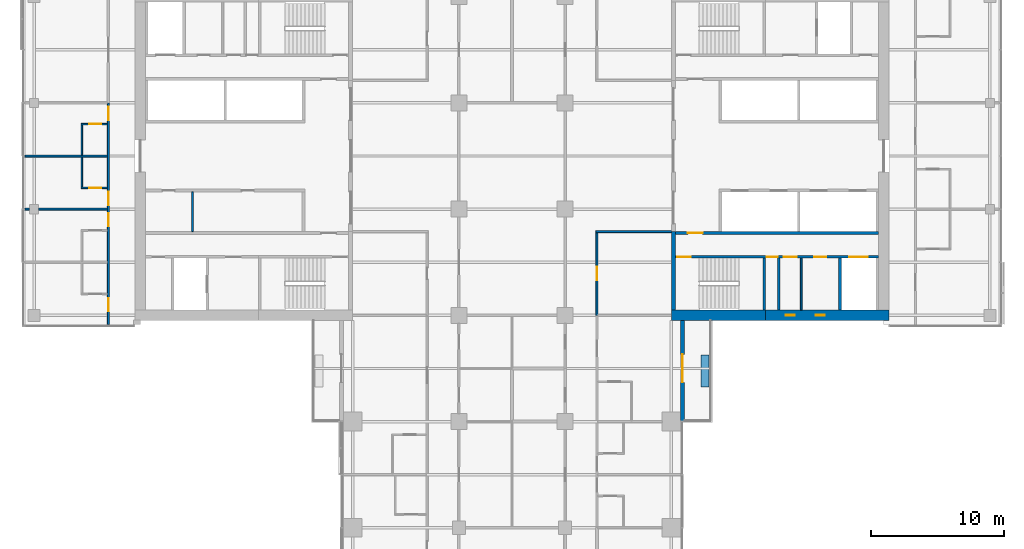
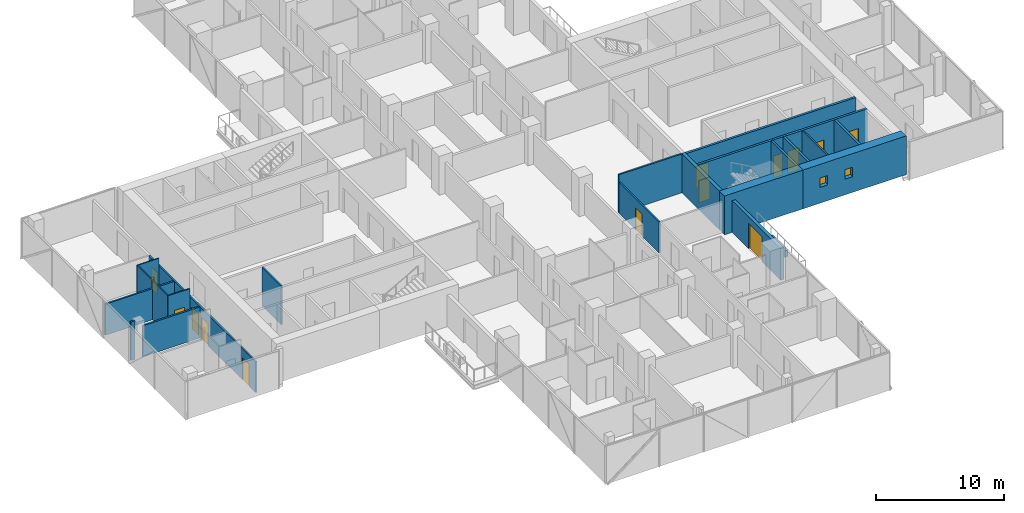
# One storey, part 17 of 27: 23 walls, 14 doors, 2 windows, 16 openings.
"""IFC4 building model written with IfcOpenShell, lengths in metres."""

from ifc_helpers import new_model, si_unit, direction, frame, frame_2d, origin, place, context, subcontext, project, spatial, rectangle, extrude, material, layer, layer_set, constituent, constituent_set, type_object, element, fill, save


model = new_model("IFC4")

# Units and contexts
model_context = context("Model", 3, precision=1e-05, world=origin(), true_north=direction((0.0, 1.0)))
body_context = subcontext(model_context, "Body", "Model", "MODEL_VIEW")
ifc_project = project(units=[si_unit("LENGTHUNIT", "METRE"), si_unit("AREAUNIT", "SQUARE_METRE"), si_unit("VOLUMEUNIT", "CUBIC_METRE"), si_unit("PLANEANGLEUNIT", "RADIAN"), si_unit("MASSUNIT", "GRAM", prefix="KILO")], contexts=[model_context])

# Site, building, storey
site_placement = place(None, origin())
site = spatial("IfcSite", under=ifc_project, at=site_placement, CompositionType="ELEMENT")
building_placement = place(site_placement, origin())
building = spatial("IfcBuilding", under=site, at=building_placement, Name="Crosswind Convention Tower", CompositionType="ELEMENT")
storey_placement = place(building_placement, frame((0.0, 0.0, 75.699951171875)))
storey = spatial("IfcBuildingStorey", under=building, at=storey_placement, Name="L13", CompositionType="ELEMENT", Elevation=75.699951171875)

# Walls
ifc_material_1 = material(Name="Concrete blockwork", Category="masonry")
ifc_layer_1 = layer(ifc_material_1, 0.199951171875)
ifc_layer_set_1 = layer_set([ifc_layer_1], Name="Blockwork partition wall 200")
wall_type_1 = type_object("IfcWallType", Name="Blockwork partition wall 200", PredefinedType="PARTITIONING", material=ifc_layer_set_1)
wall_1_placement = place(storey_placement, frame((145.10009765625, 88.39990234375, 0.0), z_axis=(0.0, 0.0, 1.0), x_axis=(0.0, 1.0, 0.0)))
element("IfcWall", 1, at=wall_1_placement, inside=storey, type_object=wall_type_1, Name="Wall MRSE E L13", PredefinedType="PARTITIONING", context=body_context, shape_type="SweptSolid", body=[
    extrude(rectangle(XDim=3.900146484375, YDim=0.199951171875, at=frame_2d((1.9501953125, 0.0))), origin(), (0.0, 0.0, 1.0), 3.699951171875),
])
ifc_material_2 = material(Name="Plasterboard partition", Category="gypsum")
ifc_layer_2 = layer(ifc_material_2, 0.14990234375)
ifc_layer_set_2 = layer_set([ifc_layer_2], Name="CORRIDOR WALL 150")
wall_type_2 = type_object("IfcWallType", Name="CORRIDOR WALL 150", PredefinedType="PARTITIONING", material=ifc_layer_set_2)
wall_2_placement = place(storey_placement, frame((131.324951171875, 94.300048828125, 0.0), z_axis=(0.0, 0.0, 1.0), x_axis=(1.0, 0.0, 0.0)))
element("IfcWall", 2, at=wall_2_placement, inside=storey, type_object=wall_type_2, Name="Corridor Wall 24", PredefinedType="PARTITIONING", context=body_context, shape_type="SweptSolid", body=[
    extrude(rectangle(XDim=5.675048828125, YDim=0.14990234375, at=frame_2d((2.83740234375, 0.0))), origin(), (0.0, 0.0, 1.0), 3.699951171875),
])

# Wall, opening, door
wall_3_placement = place(storey_placement, frame((131.39990234375, 88.0, 0.0), z_axis=(0.0, 0.0, 1.0), x_axis=(0.0, 1.0, 0.0)))
wall_3 = element("IfcWall", 3, at=wall_3_placement, inside=storey, type_object=wall_type_2, Name="Corridor Wall 110", PredefinedType="PARTITIONING", context=body_context, shape_type="SweptSolid", body=[
    extrude(rectangle(XDim=6.22509765625, YDim=0.14990234375, at=frame_2d((3.112548828125, 0.0))), origin(), (0.0, 0.0, 1.0), 2.95654296875),
])
opening_1_placement = place(wall_3_placement, frame((2.64990234375, 0.0, 0.0)))
opening_1 = element("IfcOpeningElement", 4, at=opening_1_placement, cuts=wall_3, Name="Opening 13.002", PredefinedType="OPENING", context=body_context, shape_type="SweptSolid", body=[
    extrude(rectangle(XDim=1.0, YDim=2.10009765625, at=frame_2d((0.5, 1.050048828125))), frame((0.0, 0.0849609375, 0.0), z_axis=(0.0, -1.0, 0.0), x_axis=(1.0, 0.0, 0.0)), (0.0, 0.0, 1.0), 0.169921875),
])
ifc_material_3 = material(Name="Timber fire door", Category="wood")
door_type_1 = type_object("IfcDoorType", Name="SERVICE ROOM DOOR 1000X2100", OperationType="NOTDEFINED", PredefinedType="DOOR", material=ifc_material_3)
door_1_placement = place(opening_1_placement, frame((1.0, 0.0, 0.0), z_axis=(0.0, 0.0, 1.0), x_axis=(-1.0, 0.0, 0.0)))
door_1 = element("IfcDoor", 5, at=door_1_placement, inside=storey, type_object=door_type_1, Name="Door 13.002", ObjectType="D3", OperationType="SINGLE_SWING_LEFT", OverallHeight=2.10009765625, OverallWidth=1.0, PredefinedType="DOOR", context=body_context, shape_type="SweptSolid", body=[
    extrude(rectangle(XDim=1.0, YDim=2.10009765625, at=frame_2d((0.5, 1.050048828125))), frame((0.0, 0.02490234375, 0.0), z_axis=(0.0, -1.0, 0.0), x_axis=(1.0, 0.0, 0.0)), (0.0, 0.0, 1.0), 0.050048828125),
])
fill(opening_1, door_1)

# Wall
ifc_material_4 = material(Name="Concrete C50/60", Category="concrete")
ifc_layer_3 = layer(ifc_material_4, 0.300048828125)
ifc_layer_set_3 = layer_set([ifc_layer_3], Name="Concrete C50/60")
wall_type_3 = type_object("IfcWallType", Name="Concrete inner core wall 300", PredefinedType="SHEAR", material=ifc_layer_set_3)
wall_4_placement = place(storey_placement, frame((137.14990234375, 88.39990234375, 0.0), z_axis=(0.0, 0.0, 1.0), x_axis=(0.0, 1.0, 0.0)))
element("IfcWall", 6, at=wall_4_placement, inside=storey, type_object=wall_type_3, Name="Wall EM E L13", PredefinedType="SHEAR", context=body_context, shape_type="SweptSolid", body=[
    extrude(rectangle(XDim=5.900146484375, YDim=0.300048828125, at=frame_2d((2.9501953125, 0.0))), origin(), (0.0, 0.0, 1.0), 3.699951171875),
])

# Wall, opening, door
ifc_layer_4 = layer(ifc_material_4, 0.199951171875)
ifc_layer_set_4 = layer_set([ifc_layer_4], Name="Concrete C50/60")
wall_type_4 = type_object("IfcWallType", Name="Concrete shaft and stair wall 200", PredefinedType="SHEAR", material=ifc_layer_set_4)
wall_5_placement = place(storey_placement, frame((137.300048828125, 94.199951171875, 0.0), z_axis=(0.0, 0.0, 1.0), x_axis=(1.0, 0.0, 0.0)))
wall_5 = element("IfcWall", 7, at=wall_5_placement, inside=storey, type_object=wall_type_4, Name="Wall HM E L13", PredefinedType="SHEAR", context=body_context, shape_type="SweptSolid", body=[
    extrude(rectangle(XDim=15.300048828125, YDim=0.199951171875, at=frame_2d((7.64990234375, 0.0))), origin(), (0.0, 0.0, 1.0), 3.699951171875),
])
opening_2_placement = place(wall_5_placement, frame((0.949951171875, 0.0, 0.0)))
opening_2 = element("IfcOpeningElement", 8, at=opening_2_placement, cuts=wall_5, Name="Opening D104", PredefinedType="OPENING", context=body_context, shape_type="SweptSolid", body=[
    extrude(rectangle(XDim=1.10009765625, YDim=2.10009765625, at=frame_2d((0.550048828125, 1.050048828125))), frame((0.0, 0.10986328125, 0.0), z_axis=(0.0, -1.0, 0.0), x_axis=(1.0, 0.0, 0.0)), (0.0, 0.0, 1.0), 0.219970703125),
])
ifc_material_5 = material(Name="Steel fire door", Category="steel")
door_type_2 = type_object("IfcDoorType", Name="Fire-rated single door 1100x2100", OperationType="NOTDEFINED", PredefinedType="DOOR", material=ifc_material_5)
door_2_placement = place(opening_2_placement, origin())
door_2 = element("IfcDoor", 9, at=door_2_placement, inside=storey, type_object=door_type_2, Name="Corridor door L13", ObjectType="D104", OperationType="SINGLE_SWING_LEFT", OverallHeight=2.10009765625, OverallWidth=1.10009765625, PredefinedType="DOOR", context=body_context, shape_type="SweptSolid", body=[
    extrude(rectangle(XDim=1.10009765625, YDim=2.10009765625, at=frame_2d((0.550048828125, 1.050048828125))), frame((0.0, 0.02490234375, 0.0), z_axis=(0.0, -1.0, 0.0), x_axis=(1.0, 0.0, 0.0)), (0.0, 0.0, 1.0), 0.050048828125),
])
fill(opening_2, door_2)

# Walls
for number, where, z_axis, x_axis, name in (
    (10, (144.0, 88.39990234375, 0.0), (0.0, 0.0, 1.0), (0.0, 1.0, 0.0), "Wall MSE E L13"),
    (11, (149.699951171875, 88.39990234375, 0.0), (0.0, 0.0, 1.0), (0.0, 1.0, 0.0), "Wall MFSW E L13"),
):
    element("IfcWall", number, at=place(storey_placement, frame(where, z_axis=z_axis, x_axis=x_axis)), inside=storey, type_object=wall_type_4, Name=name, PredefinedType="SHEAR", context=body_context, shape_type="SweptSolid", body=[
        extrude(rectangle(XDim=3.900146484375, YDim=0.199951171875, at=frame_2d((1.9501953125, 0.0))), origin(), (0.0, 0.0, 1.0), 3.699951171875),
    ])

# Wall, opening, door
wall_6_placement = place(storey_placement, frame((137.300048828125, 92.39990234375, 0.0), z_axis=(0.0, 0.0, 1.0), x_axis=(1.0, 0.0, 0.0)))
wall_6 = element("IfcWall", 12, at=wall_6_placement, inside=storey, type_object=wall_type_4, Name="Wall MCW E L13", PredefinedType="SHEAR", context=body_context, shape_type="SweptSolid", body=[
    extrude(rectangle(XDim=6.800048828125, YDim=0.199951171875, at=frame_2d((3.39990234375, 0.0))), origin(), (0.0, 0.0, 1.0), 3.699951171875),
])
opening_3_placement = place(wall_6_placement, frame((0.14990234375, 0.0, 0.0)))
opening_3 = element("IfcOpeningElement", 13, at=opening_3_placement, cuts=wall_6, Name="Opening D103", PredefinedType="OPENING", context=body_context, shape_type="SweptSolid", body=[
    extrude(rectangle(XDim=1.0, YDim=2.10009765625, at=frame_2d((0.5, 1.050048828125))), frame((0.0, 0.10986328125, 0.0), z_axis=(0.0, -1.0, 0.0), x_axis=(1.0, 0.0, 0.0)), (0.0, 0.0, 1.0), 0.219970703125),
])
door_type_3 = type_object("IfcDoorType", Name="Fire-rated single door 1000x2100", OperationType="NOTDEFINED", PredefinedType="DOOR", material=ifc_material_5)
door_3_placement = place(opening_3_placement, frame((1.0, 0.0, 0.0), z_axis=(0.0, 0.0, 1.0), x_axis=(-1.0, 0.0, 0.0)))
door_3 = element("IfcDoor", 14, at=door_3_placement, inside=storey, type_object=door_type_3, Name="Stair ST2 door L13", ObjectType="D103", OperationType="SINGLE_SWING_RIGHT", OverallHeight=2.10009765625, OverallWidth=1.0, PredefinedType="DOOR", context=body_context, shape_type="SweptSolid", body=[
    extrude(rectangle(XDim=1.0, YDim=2.10009765625, at=frame_2d((0.5, 1.050048828125))), frame((0.0, 0.02490234375, 0.0), z_axis=(0.0, -1.0, 0.0), x_axis=(1.0, 0.0, 0.0)), (0.0, 0.0, 1.0), 0.050048828125),
])
fill(opening_3, door_3)

# Wall, openings, doors
wall_7_placement = place(storey_placement, frame((144.10009765625, 92.39990234375, 0.0), z_axis=(0.0, 0.0, 1.0), x_axis=(1.0, 0.0, 0.0)))
wall_7 = element("IfcWall", 15, at=wall_7_placement, inside=storey, type_object=wall_type_4, Name="Wall MCX E L13", PredefinedType="SHEAR", context=body_context, shape_type="SweptSolid", body=[
    extrude(rectangle(XDim=8.5, YDim=0.199951171875, at=frame_2d((4.25, 0.0))), origin(), (0.0, 0.0, 1.0), 3.699951171875),
])
opening_4_placement = place(wall_7_placement, frame((0.10009765625, 0.0, 0.0)))
opening_4 = element("IfcOpeningElement", 16, at=opening_4_placement, cuts=wall_7, Name="Opening D105", PredefinedType="OPENING", context=body_context, shape_type="SweptSolid", body=[
    extrude(rectangle(XDim=0.800048828125, YDim=2.10009765625, at=frame_2d((0.39990234375, 1.050048828125))), frame((0.0, 0.10986328125, 0.0), z_axis=(0.0, -1.0, 0.0), x_axis=(1.0, 0.0, 0.0)), (0.0, 0.0, 1.0), 0.219970703125),
])
opening_5_placement = place(wall_7_placement, frame((1.36083984375, 0.0, 0.0)))
opening_5 = element("IfcOpeningElement", 17, at=opening_5_placement, cuts=wall_7, Name="Opening D103", PredefinedType="OPENING", context=body_context, shape_type="SweptSolid", body=[
    extrude(rectangle(XDim=1.0, YDim=2.10009765625, at=frame_2d((0.5, 1.050048828125))), frame((0.0, 0.10986328125, 0.0), z_axis=(0.0, -1.0, 0.0), x_axis=(1.0, 0.0, 0.0)), (0.0, 0.0, 1.0), 0.219970703125),
])
opening_6_placement = place(wall_7_placement, frame((3.67333984375, 0.0, 0.0)))
opening_6 = element("IfcOpeningElement", 18, at=opening_6_placement, cuts=wall_7, Name="Opening D106", PredefinedType="OPENING", context=body_context, shape_type="SweptSolid", body=[
    extrude(rectangle(XDim=0.89990234375, YDim=2.10009765625, at=frame_2d((0.449951171875, 1.050048828125))), frame((0.0, 0.10986328125, 0.0), z_axis=(0.0, -1.0, 0.0), x_axis=(1.0, 0.0, 0.0)), (0.0, 0.0, 1.0), 0.219970703125),
])
opening_7_placement = place(wall_7_placement, frame((6.300048828125, 0.0, 0.0)))
opening_7 = element("IfcOpeningElement", 19, at=opening_7_placement, cuts=wall_7, Name="Opening LD2", PredefinedType="OPENING", context=body_context, shape_type="SweptSolid", body=[
    extrude(rectangle(XDim=1.39990234375, YDim=2.10009765625, at=frame_2d((0.699951171875, 1.050048828125))), frame((0.0, 0.10986328125, 0.0), z_axis=(0.0, -1.0, 0.0), x_axis=(1.0, 0.0, 0.0)), (0.0, 0.0, 1.0), 0.219970703125),
])
door_4_placement = place(opening_5_placement, frame((1.0, 0.0, 0.0), z_axis=(0.0, 0.0, 1.0), x_axis=(-1.0, 0.0, 0.0)))
door_4 = element("IfcDoor", 20, at=door_4_placement, inside=storey, type_object=door_type_3, Name="Door to accessible wc L13", ObjectType="D103", OperationType="SINGLE_SWING_LEFT", OverallHeight=2.10009765625, OverallWidth=1.0, PredefinedType="DOOR", context=body_context, shape_type="SweptSolid", body=[
    extrude(rectangle(XDim=1.0, YDim=2.10009765625, at=frame_2d((0.5, 1.050048828125))), frame((0.0, 0.02490234375, 0.0), z_axis=(0.0, -1.0, 0.0), x_axis=(1.0, 0.0, 0.0)), (0.0, 0.0, 1.0), 0.050048828125),
])
fill(opening_5, door_4)
ifc_material_6 = material(Name="Stainless steel", Category="steel")
door_type_4 = type_object("IfcDoorType", Name="Lift landing door 1400x2100", OperationType="DOUBLE_DOOR_SLIDING", PredefinedType="DOOR", material=ifc_material_6)
door_5_placement = place(opening_7_placement, origin())
door_5 = element("IfcDoor", 21, at=door_5_placement, inside=storey, type_object=door_type_4, Name="Landing door SV1 L13", ObjectType="LD2", OperationType="DOUBLE_DOOR_SLIDING", OverallHeight=2.10009765625, OverallWidth=1.39990234375, PredefinedType="DOOR", context=body_context, shape_type="SweptSolid", body=[
    extrude(rectangle(XDim=1.39990234375, YDim=2.10009765625, at=frame_2d((0.699951171875, 1.050048828125))), frame((0.0, 0.02490234375, 0.0), z_axis=(0.0, -1.0, 0.0), x_axis=(1.0, 0.0, 0.0)), (0.0, 0.0, 1.0), 0.050048828125),
])
fill(opening_7, door_5)
door_type_5 = type_object("IfcDoorType", Name="Riser access door 800x2100", OperationType="NOTDEFINED", PredefinedType="DOOR", material=ifc_material_5)
door_6_placement = place(opening_4_placement, frame((0.800048828125, 0.0, 0.0), z_axis=(0.0, 0.0, 1.0), x_axis=(-1.0, 0.0, 0.0)))
door_6 = element("IfcDoor", 22, at=door_6_placement, inside=storey, type_object=door_type_5, Name="Riser door L13", ObjectType="D105", OperationType="SINGLE_SWING_LEFT", OverallHeight=2.10009765625, OverallWidth=0.800048828125, PredefinedType="DOOR", context=body_context, shape_type="SweptSolid", body=[
    extrude(rectangle(XDim=0.800048828125, YDim=2.10009765625, at=frame_2d((0.39990234375, 1.050048828125))), frame((0.0, 0.02490234375, 0.0), z_axis=(0.0, -1.0, 0.0), x_axis=(1.0, 0.0, 0.0)), (0.0, 0.0, 1.0), 0.050048828125),
])
fill(opening_4, door_6)
ifc_material_7 = material(Name="Timber door", Category="wood")
door_type_6 = type_object("IfcDoorType", Name="Single leaf door 900x2100", OperationType="NOTDEFINED", PredefinedType="DOOR", material=ifc_material_7)
door_7_placement = place(opening_6_placement, frame((0.89990234375, 0.0, 0.0), z_axis=(0.0, 0.0, 1.0), x_axis=(-1.0, 0.0, 0.0)))
door_7 = element("IfcDoor", 23, at=door_7_placement, inside=storey, type_object=door_type_6, Name="Door to wc L13", ObjectType="D106", OperationType="SINGLE_SWING_LEFT", OverallHeight=2.10009765625, OverallWidth=0.89990234375, PredefinedType="DOOR", context=body_context, shape_type="SweptSolid", body=[
    extrude(rectangle(XDim=0.89990234375, YDim=2.10009765625, at=frame_2d((0.449951171875, 1.050048828125))), frame((0.0, 0.02490234375, 0.0), z_axis=(0.0, -1.0, 0.0), x_axis=(1.0, 0.0, 0.0)), (0.0, 0.0, 1.0), 0.050048828125),
])
fill(opening_6, door_7)

# Walls
ifc_material_8 = material(Name="Gypsum plasterboard partition", Category="gypsum")
ifc_layer_5 = layer(ifc_material_8, 0.125)
ifc_layer_set_5 = layer_set([ifc_layer_5], Name="Drywall partition wall 125")
wall_type_5 = type_object("IfcWallType", Name="Drywall partition wall 125", PredefinedType="PARTITIONING", material=ifc_layer_set_5)
wall_8_placement = place(storey_placement, frame((146.783935546875, 88.39990234375, 0.0), z_axis=(0.0, 0.0, 1.0), x_axis=(0.0, 1.0, 0.0)))
element("IfcWall", 24, at=wall_8_placement, inside=storey, type_object=wall_type_5, Name="Wall MWP1 E L13", PredefinedType="PARTITIONING", context=body_context, shape_type="SweptSolid", body=[
    extrude(rectangle(XDim=3.900146484375, YDim=0.125, at=frame_2d((1.9501953125, 0.0))), origin(), (0.0, 0.0, 1.0), 3.699951171875),
])
wall_9_placement = place(storey_placement, frame((100.93994140625, 97.300048828125, 0.0), z_axis=(0.0, 0.0, 1.0), x_axis=(0.0, -1.0, 0.0)))
element("IfcWall", 25, at=wall_9_placement, inside=storey, type_object=wall_type_5, Name="Wall RPP1 W L13", PredefinedType="PARTITIONING", context=body_context, shape_type="SweptSolid", body=[
    extrude(rectangle(XDim=3.0, YDim=0.125, at=frame_2d((1.5, 0.0))), origin(), (0.0, 0.0, 1.0), 3.699951171875),
])
ifc_material_9 = material(Name="Acoustic plasterboard partition", Category="gypsum")
ifc_layer_6 = layer(ifc_material_9, 0.14990234375)
ifc_layer_set_6 = layer_set([ifc_layer_6], Name="GUEST ROOM WALL 150")
wall_type_6 = type_object("IfcWallType", Name="GUEST ROOM WALL 150", PredefinedType="PARTITIONING", material=ifc_layer_set_6)
wall_10_placement = place(storey_placement, frame((88.300048828125, 96.0, 0.0), z_axis=(0.0, 0.0, 1.0), x_axis=(1.0, 0.0, 0.0)))
element("IfcWall", 26, at=wall_10_placement, inside=storey, type_object=wall_type_6, Name="Guest Room Wall 26", PredefinedType="PARTITIONING", context=body_context, shape_type="SweptSolid", body=[
    extrude(rectangle(XDim=0.349853515625, YDim=0.14990234375, at=frame_2d((0.1748046875, 0.0))), origin(), (0.0, 0.0, 1.0), 3.699951171875),
])
wall_11_placement = place(storey_placement, frame((89.35009765625, 96.0, 0.0), z_axis=(0.0, 0.0, 1.0), x_axis=(1.0, 0.0, 0.0)))
element("IfcWall", 27, at=wall_11_placement, inside=storey, type_object=wall_type_6, Name="Guest Room Wall 27", PredefinedType="PARTITIONING", context=body_context, shape_type="SweptSolid", body=[
    extrude(rectangle(XDim=5.1748046875, YDim=0.14990234375, at=frame_2d((2.58740234375, 0.0))), origin(), (0.0, 0.0, 1.0), 2.95654296875),
])
wall_12_placement = place(storey_placement, frame((88.300048828125, 100.0, 0.0), z_axis=(0.0, 0.0, 1.0), x_axis=(1.0, 0.0, 0.0)))
element("IfcWall", 28, at=wall_12_placement, inside=storey, type_object=wall_type_6, Name="Guest Room Wall 32", PredefinedType="PARTITIONING", context=body_context, shape_type="SweptSolid", body=[
    extrude(rectangle(XDim=6.224853515625, YDim=0.14990234375, at=frame_2d((3.1123046875, 0.0))), origin(), (0.0, 0.0, 1.0), 2.962890625),
])

# Wall, openings, doors
wall_13_placement = place(storey_placement, frame((94.60009765625, 87.300048828125, 0.0), z_axis=(0.0, 0.0, 1.0), x_axis=(0.0, 1.0, 0.0)))
wall_13 = element("IfcWall", 29, at=wall_13_placement, inside=storey, type_object=wall_type_6, Name="Guest Room Wall 65", PredefinedType="PARTITIONING", context=body_context, shape_type="SweptSolid", body=[
    extrude(rectangle(XDim=16.699951171875, YDim=0.14990234375, at=frame_2d((8.35009765625, 0.0))), origin(), (0.0, 0.0, 1.0), 2.95654296875),
])
opening_8_placement = place(wall_13_placement, frame((1.0, 0.0, 0.0)))
opening_8 = element("IfcOpeningElement", 30, at=opening_8_placement, cuts=wall_13, Name="Opening 13.039", PredefinedType="OPENING", context=body_context, shape_type="SweptSolid", body=[
    extrude(rectangle(XDim=1.0, YDim=2.10009765625, at=frame_2d((0.5, 1.050048828125))), frame((0.0, 0.0849609375, 0.0), z_axis=(0.0, -1.0, 0.0), x_axis=(1.0, 0.0, 0.0)), (0.0, 0.0, 1.0), 0.169921875),
])
opening_9_placement = place(wall_13_placement, frame((7.39990234375, 0.0, 0.0)))
opening_9 = element("IfcOpeningElement", 31, at=opening_9_placement, cuts=wall_13, Name="Opening 13.041", PredefinedType="OPENING", context=body_context, shape_type="SweptSolid", body=[
    extrude(rectangle(XDim=1.0, YDim=2.10009765625, at=frame_2d((0.5, 1.050048828125))), frame((0.0, 0.0849609375, 0.0), z_axis=(0.0, -1.0, 0.0), x_axis=(1.0, 0.0, 0.0)), (0.0, 0.0, 1.0), 0.169921875),
])
opening_10_placement = place(wall_13_placement, frame((9.0, 0.0, 0.0)))
opening_10 = element("IfcOpeningElement", 32, at=opening_10_placement, cuts=wall_13, Name="Opening 13.043", PredefinedType="OPENING", context=body_context, shape_type="SweptSolid", body=[
    extrude(rectangle(XDim=1.0, YDim=2.10009765625, at=frame_2d((0.5, 1.050048828125))), frame((0.0, 0.0849609375, 0.0), z_axis=(0.0, -1.0, 0.0), x_axis=(1.0, 0.0, 0.0)), (0.0, 0.0, 1.0), 0.169921875),
])
opening_11_placement = place(wall_13_placement, frame((15.39990234375, 0.0, 0.0)))
opening_11 = element("IfcOpeningElement", 33, at=opening_11_placement, cuts=wall_13, Name="Opening 13.045", PredefinedType="OPENING", context=body_context, shape_type="SweptSolid", body=[
    extrude(rectangle(XDim=1.0, YDim=2.10009765625, at=frame_2d((0.5, 1.050048828125))), frame((0.0, 0.0849609375, 0.0), z_axis=(0.0, -1.0, 0.0), x_axis=(1.0, 0.0, 0.0)), (0.0, 0.0, 1.0), 0.169921875),
])
door_type_7 = type_object("IfcDoorType", Name="GUEST ROOM DOOR 1000X2100", OperationType="NOTDEFINED", PredefinedType="DOOR", material=ifc_material_3)
door_8_placement = place(opening_8_placement, origin())
door_8 = element("IfcDoor", 34, at=door_8_placement, inside=storey, type_object=door_type_7, Name="Door 13.039", ObjectType="D1", OperationType="SINGLE_SWING_RIGHT", OverallHeight=2.10009765625, OverallWidth=1.0, PredefinedType="DOOR", context=body_context, shape_type="SweptSolid", body=[
    extrude(rectangle(XDim=1.0, YDim=2.10009765625, at=frame_2d((0.5, 1.050048828125))), frame((0.0, 0.02490234375, 0.0), z_axis=(0.0, -1.0, 0.0), x_axis=(1.0, 0.0, 0.0)), (0.0, 0.0, 1.0), 0.050048828125),
])
fill(opening_8, door_8)
door_9_placement = place(opening_9_placement, origin())
door_9 = element("IfcDoor", 35, at=door_9_placement, inside=storey, type_object=door_type_7, Name="Door 13.041", ObjectType="D1", OperationType="SINGLE_SWING_RIGHT", OverallHeight=2.10009765625, OverallWidth=1.0, PredefinedType="DOOR", context=body_context, shape_type="SweptSolid", body=[
    extrude(rectangle(XDim=1.0, YDim=2.10009765625, at=frame_2d((0.5, 1.050048828125))), frame((0.0, 0.02490234375, 0.0), z_axis=(0.0, -1.0, 0.0), x_axis=(1.0, 0.0, 0.0)), (0.0, 0.0, 1.0), 0.050048828125),
])
fill(opening_9, door_9)
door_10_placement = place(opening_10_placement, origin())
door_10 = element("IfcDoor", 36, at=door_10_placement, inside=storey, type_object=door_type_7, Name="Door 13.043", ObjectType="D1", OperationType="SINGLE_SWING_RIGHT", OverallHeight=2.10009765625, OverallWidth=1.0, PredefinedType="DOOR", context=body_context, shape_type="SweptSolid", body=[
    extrude(rectangle(XDim=1.0, YDim=2.10009765625, at=frame_2d((0.5, 1.050048828125))), frame((0.0, 0.02490234375, 0.0), z_axis=(0.0, -1.0, 0.0), x_axis=(1.0, 0.0, 0.0)), (0.0, 0.0, 1.0), 0.050048828125),
])
fill(opening_10, door_10)
door_11_placement = place(opening_11_placement, origin())
door_11 = element("IfcDoor", 37, at=door_11_placement, inside=storey, type_object=door_type_7, Name="Door 13.045", ObjectType="D1", OperationType="SINGLE_SWING_RIGHT", OverallHeight=2.10009765625, OverallWidth=1.0, PredefinedType="DOOR", context=body_context, shape_type="SweptSolid", body=[
    extrude(rectangle(XDim=1.0, YDim=2.10009765625, at=frame_2d((0.5, 1.050048828125))), frame((0.0, 0.02490234375, 0.0), z_axis=(0.0, -1.0, 0.0), x_axis=(1.0, 0.0, 0.0)), (0.0, 0.0, 1.0), 0.050048828125),
])
fill(opening_11, door_11)

# Wall
ifc_material_10 = material(Name="Concrete C30/37", Category="concrete")
ifc_layer_7 = layer(ifc_material_10, 0.60009765625)
ifc_layer_set_7 = layer_set([ifc_layer_7], Name="Concrete C30/37")
wall_type_7 = type_object("IfcWallType", Name="PLANTER BOX WALL 600", PredefinedType="SOLIDWALL", material=ifc_layer_set_7)
wall_14_placement = place(storey_placement, frame((139.550048828125, 82.60009765625, 0.0), z_axis=(0.0, 0.0, 1.0), x_axis=(0.0, 1.0, 0.0)))
element("IfcWall", 38, at=wall_14_placement, inside=storey, type_object=wall_type_7, Name="PLANTER L13 S-E.1-3", PredefinedType="SOLIDWALL", context=body_context, shape_type="SweptSolid", body=[
    extrude(rectangle(XDim=2.39990234375, YDim=0.60009765625, at=frame_2d((1.199951171875, 0.0))), origin(), (0.0, 0.0, 1.0), 0.60009765625),
])

# Wall, opening, door
ifc_material_11 = material(Name="Terracotta rainscreen", Category="ceramic")
ifc_layer_8 = layer(ifc_material_11, 0.02001953125)
ifc_material_12 = material(Name="Mineral wool insulation", Category="insulation")
ifc_layer_9 = layer(ifc_material_12, 0.10009765625)
ifc_layer_10 = layer(ifc_material_1, 0.179931640625)
ifc_layer_set_8 = layer_set([ifc_layer_8, ifc_layer_9, ifc_layer_10], Name="TERRACOTTA INFILL WALL 300")
wall_type_8 = type_object("IfcWallType", Name="TERRACOTTA INFILL WALL 300", PredefinedType="SOLIDWALL", material=ifc_layer_set_8)
wall_15_placement = place(storey_placement, frame((137.85009765625, 80.032470703125, 0.0), z_axis=(0.0, 0.0, 1.0), x_axis=(0.0, 1.0, 0.0)))
wall_15 = element("IfcWall", 39, at=wall_15_placement, inside=storey, type_object=wall_type_8, Name="Notch front wall L13 S-E.1-3", PredefinedType="SOLIDWALL", context=body_context, shape_type="SweptSolid", body=[
    extrude(rectangle(XDim=7.567626953125, YDim=0.300048828125, at=frame_2d((3.78369140625, 0.0))), origin(), (0.0, 0.0, 1.0), 3.013671875),
])
opening_12_placement = place(wall_15_placement, frame((2.91748046875, 0.0, 0.0)))
opening_12 = element("IfcOpeningElement", 40, at=opening_12_placement, cuts=wall_15, Name="Opening D141", PredefinedType="OPENING", context=body_context, shape_type="SweptSolid", body=[
    extrude(rectangle(XDim=2.10009765625, YDim=2.39990234375, at=frame_2d((1.050048828125, 1.199951171875))), frame((0.0, 0.159912109375, 0.0), z_axis=(0.0, -1.0, 0.0), x_axis=(1.0, 0.0, 0.0)), (0.0, 0.0, 1.0), 0.320068359375),
])
ifc_material_13 = material(Name="Aluminium glazed door", Category="aluminium")
door_type_8 = type_object("IfcDoorType", Name="BALCONY SLIDING DOOR 2100X2400", OperationType="SLIDING_TO_LEFT", PredefinedType="DOOR", material=ifc_material_13)
door_12_placement = place(opening_12_placement, frame((2.10009765625, 0.0, 0.0), z_axis=(0.0, 0.0, 1.0), x_axis=(-1.0, 0.0, 0.0)))
door_12 = element("IfcDoor", 41, at=door_12_placement, inside=storey, type_object=door_type_8, Name="D141 balcony door L13 S-E.1-3", ObjectType="D141", OperationType="SLIDING_TO_LEFT", OverallHeight=2.39990234375, OverallWidth=2.10009765625, PredefinedType="DOOR", context=body_context, shape_type="SweptSolid", body=[
    extrude(rectangle(XDim=2.10009765625, YDim=2.39990234375, at=frame_2d((1.050048828125, 1.199951171875))), frame((0.0, 0.02490234375, 0.0), z_axis=(0.0, -1.0, 0.0), x_axis=(1.0, 0.0, 0.0)), (0.0, 0.0, 1.0), 0.050048828125),
])
fill(opening_12, door_12)

# Wall
ifc_material_14 = material(Name="Concrete C60/75", Category="concrete")
ifc_constituent_1 = constituent(ifc_material_14, Name="Structure")
ifc_constituent_2 = constituent(ifc_material_11, Name="Facing")
ifc_constituent_set = constituent_set(constituents=[ifc_constituent_1, ifc_constituent_2], Name="Concrete C60/75, Terracotta rainscreen")
wall_type_9 = type_object("IfcWallType", Name="Terracotta rainscreen on concrete core wall 800", PredefinedType="SHEAR", material=ifc_constituent_set)
wall_16_placement = place(storey_placement, frame((137.0, 88.0, 0.0), z_axis=(0.0, 0.0, 1.0), x_axis=(1.0, 0.0, 0.0)))
element("IfcWall", 42, at=wall_16_placement, inside=storey, type_object=wall_type_9, Name="Wall S1 E L13", PredefinedType="SHEAR", context=body_context, shape_type="SweptSolid", body=[
    extrude(rectangle(XDim=7.10009765625, YDim=0.800048828125, at=frame_2d((3.550048828125, 0.0))), origin(), (0.0, 0.0, 1.0), 3.699951171875),
])

# Wall, openings, windows
wall_17_placement = place(storey_placement, frame((144.10009765625, 88.0, 0.0), z_axis=(0.0, 0.0, 1.0), x_axis=(1.0, 0.0, 0.0)))
wall_17 = element("IfcWall", 43, at=wall_17_placement, inside=storey, type_object=wall_type_9, Name="Wall S2 E L13", PredefinedType="SHEAR", context=body_context, shape_type="SweptSolid", body=[
    extrude(rectangle(XDim=9.2998046875, YDim=0.800048828125, at=frame_2d((4.64990234375, 0.0))), origin(), (0.0, 0.0, 1.0), 3.699951171875),
])
opening_13_placement = place(wall_17_placement, frame((1.5107421875, 0.0, 1.5)))
opening_13 = element("IfcOpeningElement", 44, at=opening_13_placement, cuts=wall_17, Name="Opening W2", PredefinedType="OPENING", context=body_context, shape_type="SweptSolid", body=[
    extrude(rectangle(XDim=0.699951171875, YDim=0.89990234375, at=frame_2d((0.35009765625, 0.449951171875))), frame((0.0, 0.409912109375, 0.0), z_axis=(0.0, -1.0, 0.0), x_axis=(1.0, 0.0, 0.0)), (0.0, 0.0, 1.0), 0.820068359375),
])
opening_14_placement = place(wall_17_placement, frame((3.773193359375, 0.0, 1.5)))
opening_14 = element("IfcOpeningElement", 45, at=opening_14_placement, cuts=wall_17, Name="Opening W2", PredefinedType="OPENING", context=body_context, shape_type="SweptSolid", body=[
    extrude(rectangle(XDim=0.699951171875, YDim=0.89990234375, at=frame_2d((0.35009765625, 0.449951171875))), frame((0.0, 0.409912109375, 0.0), z_axis=(0.0, -1.0, 0.0), x_axis=(1.0, 0.0, 0.0)), (0.0, 0.0, 1.0), 0.820068359375),
])
ifc_material_15 = material(Name="Obscure glass in aluminium frame", Category="aluminium")
window_type = type_object("IfcWindowType", Name="WC window 700x900", PartitioningType="SINGLE_PANEL", PredefinedType="WINDOW", material=ifc_material_15)
window_1_placement = place(opening_13_placement, origin())
window_1 = element("IfcWindow", 46, at=window_1_placement, inside=storey, type_object=window_type, Name="WC window L13", ObjectType="W2", OverallHeight=0.89990234375, OverallWidth=0.699951171875, PartitioningType="SINGLE_PANEL", PredefinedType="WINDOW", context=body_context, shape_type="SweptSolid", body=[
    extrude(rectangle(XDim=0.699951171875, YDim=0.89990234375, at=frame_2d((0.35009765625, 0.449951171875))), frame((0.0, 0.030029296875, 0.0), z_axis=(0.0, -1.0, 0.0), x_axis=(1.0, 0.0, 0.0)), (0.0, 0.0, 1.0), 0.06005859375),
])
fill(opening_13, window_1)
window_2_placement = place(opening_14_placement, origin())
window_2 = element("IfcWindow", 47, at=window_2_placement, inside=storey, type_object=window_type, Name="WC window L13", ObjectType="W2", OverallHeight=0.89990234375, OverallWidth=0.699951171875, PartitioningType="SINGLE_PANEL", PredefinedType="WINDOW", context=body_context, shape_type="SweptSolid", body=[
    extrude(rectangle(XDim=0.699951171875, YDim=0.89990234375, at=frame_2d((0.35009765625, 0.449951171875))), frame((0.0, 0.030029296875, 0.0), z_axis=(0.0, -1.0, 0.0), x_axis=(1.0, 0.0, 0.0)), (0.0, 0.0, 1.0), 0.06005859375),
])
fill(opening_14, window_2)

# Wall, opening, door
ifc_material_16 = material(Name="Water-resistant plasterboard partition", Category="gypsum")
ifc_layer_11 = layer(ifc_material_16, 0.10009765625)
ifc_layer_set_9 = layer_set([ifc_layer_11], Name="WET ROOM PARTITION 100")
wall_type_10 = type_object("IfcWallType", Name="WET ROOM PARTITION 100", PredefinedType="PLUMBINGWALL", material=ifc_layer_set_9)
wall_18_placement = place(storey_placement, frame((92.550048828125, 97.60009765625, 0.0), z_axis=(0.0, 0.0, 1.0), x_axis=(1.0, 0.0, 0.0)))
wall_18 = element("IfcWall", 48, at=wall_18_placement, inside=storey, type_object=wall_type_10, Name="Wet Room Partition 30", PredefinedType="PLUMBINGWALL", context=body_context, shape_type="SweptSolid", body=[
    extrude(rectangle(XDim=1.974853515625, YDim=0.10009765625, at=frame_2d((0.9873046875, 0.0))), origin(), (0.0, 0.0, 1.0), 3.699951171875),
])
opening_15_placement = place(wall_18_placement, frame((0.60009765625, 0.0, 0.0)))
opening_15 = element("IfcOpeningElement", 49, at=opening_15_placement, cuts=wall_18, Name="Opening 13.044", PredefinedType="OPENING", context=body_context, shape_type="SweptSolid", body=[
    extrude(rectangle(XDim=0.89990234375, YDim=2.10009765625, at=frame_2d((0.449951171875, 1.050048828125))), frame((0.0, 0.06005859375, 0.0), z_axis=(0.0, -1.0, 0.0), x_axis=(1.0, 0.0, 0.0)), (0.0, 0.0, 1.0), 0.1201171875),
])
door_type_9 = type_object("IfcDoorType", Name="EN-SUITE DOOR 900X2100", OperationType="NOTDEFINED", PredefinedType="DOOR", material=ifc_material_7)
door_13_placement = place(opening_15_placement, origin())
door_13 = element("IfcDoor", 50, at=door_13_placement, inside=storey, type_object=door_type_9, Name="Door 13.044", ObjectType="D2", OperationType="SINGLE_SWING_RIGHT", OverallHeight=2.10009765625, OverallWidth=0.89990234375, PredefinedType="DOOR", context=body_context, shape_type="SweptSolid", body=[
    extrude(rectangle(XDim=0.89990234375, YDim=2.10009765625, at=frame_2d((0.449951171875, 1.050048828125))), frame((0.0, 0.02490234375, 0.0), z_axis=(0.0, -1.0, 0.0), x_axis=(1.0, 0.0, 0.0)), (0.0, 0.0, 1.0), 0.050048828125),
])
fill(opening_15, door_13)

wall_19_placement = place(storey_placement, frame((92.550048828125, 102.39990234375, 0.0), z_axis=(0.0, 0.0, 1.0), x_axis=(1.0, 0.0, 0.0)))
wall_19 = element("IfcWall", 51, at=wall_19_placement, inside=storey, type_object=wall_type_10, Name="Wet Room Partition 33", PredefinedType="PLUMBINGWALL", context=body_context, shape_type="SweptSolid", body=[
    extrude(rectangle(XDim=1.974853515625, YDim=0.10009765625, at=frame_2d((0.9873046875, 0.0))), origin(), (0.0, 0.0, 1.0), 3.699951171875),
])
opening_16_placement = place(wall_19_placement, frame((0.60009765625, 0.0, 0.0)))
opening_16 = element("IfcOpeningElement", 52, at=opening_16_placement, cuts=wall_19, Name="Opening 13.046", PredefinedType="OPENING", context=body_context, shape_type="SweptSolid", body=[
    extrude(rectangle(XDim=0.89990234375, YDim=2.10009765625, at=frame_2d((0.449951171875, 1.050048828125))), frame((0.0, 0.06005859375, 0.0), z_axis=(0.0, -1.0, 0.0), x_axis=(1.0, 0.0, 0.0)), (0.0, 0.0, 1.0), 0.1201171875),
])
door_14_placement = place(opening_16_placement, frame((0.89990234375, 0.0, 0.0), z_axis=(0.0, 0.0, 1.0), x_axis=(-1.0, 0.0, 0.0)))
door_14 = element("IfcDoor", 53, at=door_14_placement, inside=storey, type_object=door_type_9, Name="Door 13.046", ObjectType="D2", OperationType="SINGLE_SWING_LEFT", OverallHeight=2.10009765625, OverallWidth=0.89990234375, PredefinedType="DOOR", context=body_context, shape_type="SweptSolid", body=[
    extrude(rectangle(XDim=0.89990234375, YDim=2.10009765625, at=frame_2d((0.449951171875, 1.050048828125))), frame((0.0, 0.02490234375, 0.0), z_axis=(0.0, -1.0, 0.0), x_axis=(1.0, 0.0, 0.0)), (0.0, 0.0, 1.0), 0.050048828125),
])
fill(opening_16, door_14)

# Walls
for number, where, z_axis, x_axis, name in (
    (54, (92.60009765625, 97.64990234375, 0.0), (0.0, 0.0, 1.0), (0.0, 1.0, 0.0), "Wet Room Partition 63"),
    (55, (92.60009765625, 100.074951171875, 0.0), (0.0, 0.0, 1.0), (0.0, 1.0, 0.0), "Wet Room Partition 64"),
):
    element("IfcWall", number, at=place(storey_placement, frame(where, z_axis=z_axis, x_axis=x_axis)), inside=storey, type_object=wall_type_10, Name=name, PredefinedType="PLUMBINGWALL", context=body_context, shape_type="SweptSolid", body=[
        extrude(rectangle(XDim=2.275146484375, YDim=0.10009765625, at=frame_2d((1.1376953125, 0.0))), origin(), (0.0, 0.0, 1.0), 3.699951171875),
    ])

save(model, "model.ifc")
